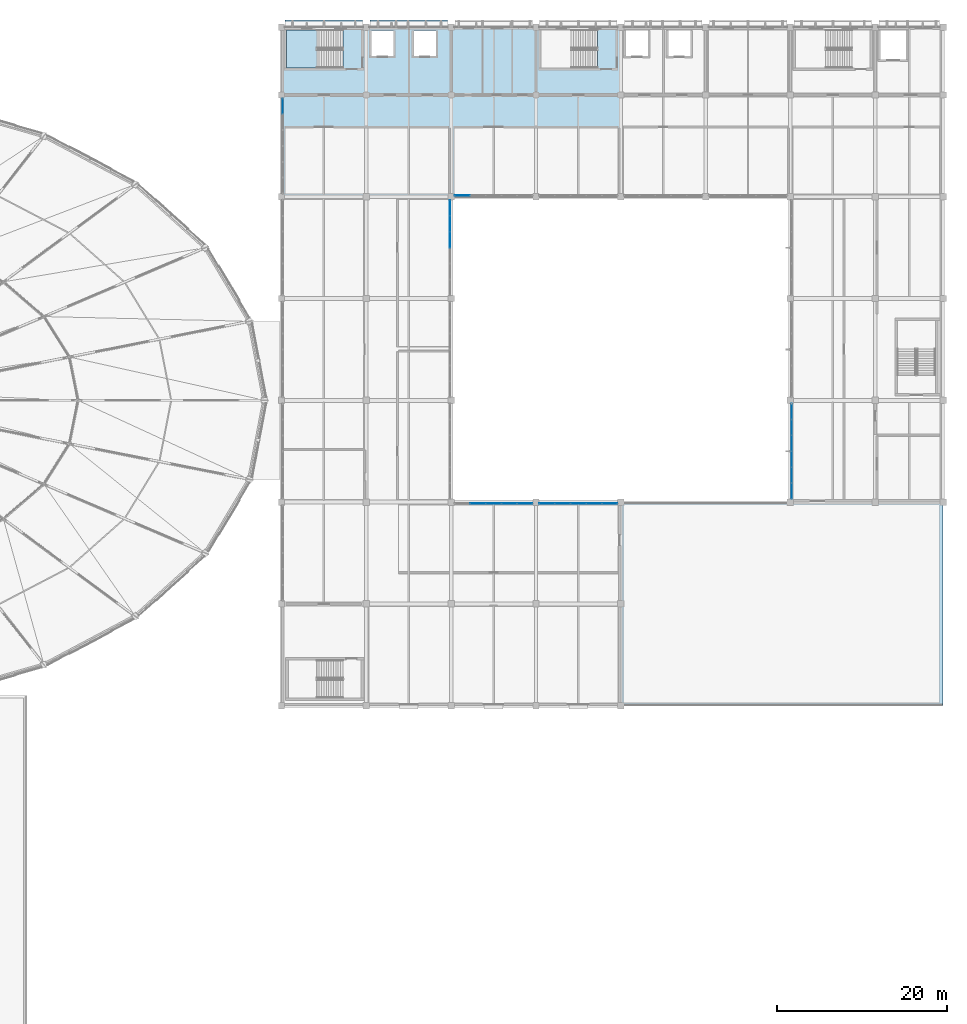
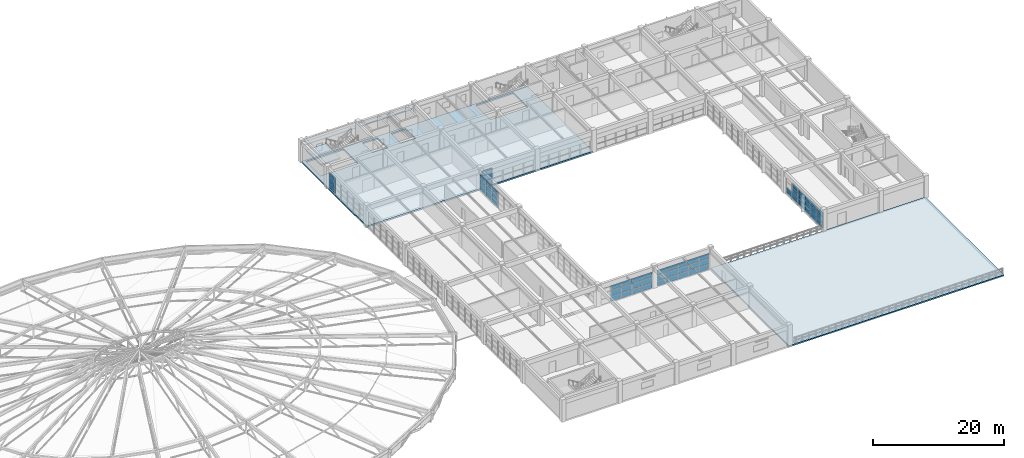
# One storey, part 55 of 83: 60 plates, 3 slabs, 7 elements without a shape of their own.
"""IFC4 building model written with IfcOpenShell, lengths in metres."""

from ifc_helpers import new_model, si_unit, direction, frame, origin, origin_2d, place, context, subcontext, project, spatial, polyline, rectangle, outline, extrude, material, layer, layer_set, type_object, element, aggregate, save


model = new_model("IFC4")

# Units and contexts
model_context = context("Model", 3, precision=1e-05, world=origin(), true_north=direction((0.0, 1.0)))
body_context = subcontext(model_context, "Body", "Model", "MODEL_VIEW")
ifc_project = project(units=[si_unit("LENGTHUNIT", "METRE"), si_unit("AREAUNIT", "SQUARE_METRE"), si_unit("VOLUMEUNIT", "CUBIC_METRE"), si_unit("PLANEANGLEUNIT", "RADIAN"), si_unit("MASSUNIT", "GRAM", prefix="KILO")], contexts=[model_context])

# Site, building, storey
site_placement = place(None, origin())
site = spatial("IfcSite", under=ifc_project, at=site_placement, CompositionType="ELEMENT")
building_placement = place(site_placement, origin())
building = spatial("IfcBuilding", under=site, at=building_placement, Name="Kivolera Central Railway Station", CompositionType="ELEMENT")
storey_placement = place(building_placement, frame((0.0, 0.0, 14.39990234375)))
storey = spatial("IfcBuildingStorey", under=building, at=storey_placement, Name="L03", CompositionType="ELEMENT", Elevation=14.39990234375)

# Curtain wall, plates
ifc_material_1 = material(Name="Anodised aluminium", Category="aluminium")
ifc_layer_1 = layer(ifc_material_1, 0.179931640625, Name="Anodised aluminium")
ifc_layer_set_1 = layer_set([ifc_layer_1], Name="Anodised aluminium")
curtain_wall_type_1 = type_object("IfcCurtainWallType", Name="CW-SYS-30", PredefinedType="NOTDEFINED", material=ifc_layer_set_1)
curtain_wall_1_placement = place(storey_placement, origin())
curtain_wall_1 = element("IfcCurtainWall", 1, at=curtain_wall_1_placement, inside=storey, type_object=curtain_wall_type_1, Name="L03 Curtain Wall CW-L03-CRTW-J", PredefinedType="NOTDEFINED")
ifc_material_2 = material(Name="Double low-E laminated glass", Category="glass")
ifc_layer_2 = layer(ifc_material_2, 0.02587890625, Name="Double low-E laminated glass")
ifc_layer_set_2 = layer_set([ifc_layer_2], Name="Double low-E laminated glass")
plate_type_1 = type_object("IfcPlateType", Name="CWP-GLZ-1", PredefinedType="CURTAIN_PANEL", material=ifc_layer_set_2)
plate_1_placement = place(storey_placement, frame((137.85498046875, 112.6767578125, 0.048095703125), z_axis=(0.0, 0.0, 1.0), x_axis=(0.0, -1.0, 0.0)))
plate_1 = element("IfcPlate", 2, at=plate_1_placement, type_object=plate_type_1, Name="CW-30 panel 1.1", PredefinedType="CURTAIN_PANEL", context=body_context, shape_type="SweptSolid", body=[
    extrude(rectangle(XDim=1.810546875, YDim=0.02587890625, at=origin_2d()), origin(), (0.0, 0.0, 1.0), 1.01123046875),
])
plate_2_placement = place(storey_placement, frame((137.85498046875, 112.6767578125, 1.09521484375), z_axis=(0.0, 0.0, 1.0), x_axis=(0.0, -1.0, 0.0)))
plate_2 = element("IfcPlate", 3, at=plate_2_placement, type_object=plate_type_1, Name="CW-30 panel 1.2", PredefinedType="CURTAIN_PANEL", context=body_context, shape_type="SweptSolid", body=[
    extrude(rectangle(XDim=1.810546875, YDim=0.02587890625, at=origin_2d()), origin(), (0.0, 0.0, 1.0), 1.041259765625),
])
plate_3_placement = place(storey_placement, frame((137.85498046875, 112.6767578125, 2.172607421875), z_axis=(0.0, 0.0, 1.0), x_axis=(0.0, -1.0, 0.0)))
plate_3 = element("IfcPlate", 4, at=plate_3_placement, type_object=plate_type_1, Name="CW-30 panel 1.3", PredefinedType="CURTAIN_PANEL", context=body_context, shape_type="SweptSolid", body=[
    extrude(rectangle(XDim=1.810546875, YDim=0.02587890625, at=origin_2d()), origin(), (0.0, 0.0, 1.0), 0.857421875),
])
plate_4_placement = place(storey_placement, frame((137.85498046875, 110.81494140625, 0.048095703125), z_axis=(0.0, 0.0, 1.0), x_axis=(0.0, -1.0, 0.0)))
plate_4 = element("IfcPlate", 5, at=plate_4_placement, type_object=plate_type_1, Name="CW-30 panel 2.1", PredefinedType="CURTAIN_PANEL", context=body_context, shape_type="SweptSolid", body=[
    extrude(rectangle(XDim=1.840576171875, YDim=0.02587890625, at=origin_2d()), origin(), (0.0, 0.0, 1.0), 1.01123046875),
])
plate_5_placement = place(storey_placement, frame((137.85498046875, 110.81494140625, 1.09521484375), z_axis=(0.0, 0.0, 1.0), x_axis=(0.0, -1.0, 0.0)))
plate_5 = element("IfcPlate", 6, at=plate_5_placement, type_object=plate_type_1, Name="CW-30 panel 2.2", PredefinedType="CURTAIN_PANEL", context=body_context, shape_type="SweptSolid", body=[
    extrude(rectangle(XDim=1.840576171875, YDim=0.02587890625, at=origin_2d()), origin(), (0.0, 0.0, 1.0), 1.041259765625),
])
plate_6_placement = place(storey_placement, frame((137.85498046875, 110.81494140625, 2.172607421875), z_axis=(0.0, 0.0, 1.0), x_axis=(0.0, -1.0, 0.0)))
plate_6 = element("IfcPlate", 7, at=plate_6_placement, type_object=plate_type_1, Name="CW-30 panel 2.3", PredefinedType="CURTAIN_PANEL", context=body_context, shape_type="SweptSolid", body=[
    extrude(rectangle(XDim=1.840576171875, YDim=0.02587890625, at=origin_2d()), origin(), (0.0, 0.0, 1.0), 0.857421875),
])
plate_7_placement = place(storey_placement, frame((137.85498046875, 108.938232421875, 0.048095703125), z_axis=(0.0, 0.0, 1.0), x_axis=(0.0, -1.0, 0.0)))
plate_7 = element("IfcPlate", 8, at=plate_7_placement, type_object=plate_type_1, Name="CW-30 panel 3.1", PredefinedType="CURTAIN_PANEL", context=body_context, shape_type="SweptSolid", body=[
    extrude(rectangle(XDim=1.840576171875, YDim=0.02587890625, at=origin_2d()), origin(), (0.0, 0.0, 1.0), 1.01123046875),
])
plate_8_placement = place(storey_placement, frame((137.85498046875, 108.938232421875, 1.09521484375), z_axis=(0.0, 0.0, 1.0), x_axis=(0.0, -1.0, 0.0)))
plate_8 = element("IfcPlate", 9, at=plate_8_placement, type_object=plate_type_1, Name="CW-30 panel 3.2", PredefinedType="CURTAIN_PANEL", context=body_context, shape_type="SweptSolid", body=[
    extrude(rectangle(XDim=1.840576171875, YDim=0.02587890625, at=origin_2d()), origin(), (0.0, 0.0, 1.0), 1.041259765625),
])
plate_9_placement = place(storey_placement, frame((137.85498046875, 108.938232421875, 2.172607421875), z_axis=(0.0, 0.0, 1.0), x_axis=(0.0, -1.0, 0.0)))
plate_9 = element("IfcPlate", 10, at=plate_9_placement, type_object=plate_type_1, Name="CW-30 panel 3.3", PredefinedType="CURTAIN_PANEL", context=body_context, shape_type="SweptSolid", body=[
    extrude(rectangle(XDim=1.840576171875, YDim=0.02587890625, at=origin_2d()), origin(), (0.0, 0.0, 1.0), 0.857421875),
])
aggregate(curtain_wall_1, [plate_1, plate_2, plate_3, plate_4, plate_5, plate_6, plate_7, plate_8, plate_9])

ifc_layer_3 = layer(ifc_material_1, 0.179931640625, Name="Anodised aluminium")
ifc_layer_set_3 = layer_set([ifc_layer_3], Name="Anodised aluminium")
curtain_wall_type_2 = type_object("IfcCurtainWallType", Name="CW-SYS-29", PredefinedType="NOTDEFINED", material=ifc_layer_set_3)
curtain_wall_2_placement = place(storey_placement, origin())
curtain_wall_2 = element("IfcCurtainWall", 11, at=curtain_wall_2_placement, inside=storey, type_object=curtain_wall_type_2, Name="L03 Curtain Wall CW-L03-CRTN-138", PredefinedType="NOTDEFINED")
ifc_layer_4 = layer(ifc_material_2, 0.030029296875, Name="Double low-E laminated glass")
ifc_layer_set_4 = layer_set([ifc_layer_4], Name="Double low-E laminated glass")
plate_type_2 = type_object("IfcPlateType", Name="CWP-GLZ-2", PredefinedType="CURTAIN_PANEL", material=ifc_layer_set_4)
plate_10_placement = place(storey_placement, frame((139.31103515625, 114.14501953125, 0.048095703125), z_axis=(0.0, 0.0, 1.0), x_axis=(-1.0, 0.0, 0.0)))
plate_10 = element("IfcPlate", 12, at=plate_10_placement, type_object=plate_type_2, Name="CW-29 panel 5.1", PredefinedType="CURTAIN_PANEL", context=body_context, shape_type="SweptSolid", body=[
    extrude(rectangle(XDim=1.785888671875, YDim=0.030029296875, at=origin_2d()), origin(), (0.0, 0.0, 1.0), 1.01123046875),
])
plate_11_placement = place(storey_placement, frame((139.31103515625, 114.14501953125, 1.09521484375), z_axis=(0.0, 0.0, 1.0), x_axis=(-1.0, 0.0, 0.0)))
plate_11 = element("IfcPlate", 13, at=plate_11_placement, type_object=plate_type_2, Name="CW-29 panel 5.2", PredefinedType="CURTAIN_PANEL", context=body_context, shape_type="SweptSolid", body=[
    extrude(rectangle(XDim=1.785888671875, YDim=0.030029296875, at=origin_2d()), origin(), (0.0, 0.0, 1.0), 1.041259765625),
])
plate_12_placement = place(storey_placement, frame((139.31103515625, 114.14501953125, 2.172607421875), z_axis=(0.0, 0.0, 1.0), x_axis=(-1.0, 0.0, 0.0)))
plate_12 = element("IfcPlate", 14, at=plate_12_placement, type_object=plate_type_2, Name="CW-29 panel 5.3", PredefinedType="CURTAIN_PANEL", context=body_context, shape_type="SweptSolid", body=[
    extrude(rectangle(XDim=1.785888671875, YDim=0.030029296875, at=origin_2d()), origin(), (0.0, 0.0, 1.0), 0.857421875),
])
aggregate(curtain_wall_2, [plate_10, plate_11, plate_12])

curtain_wall_3_placement = place(storey_placement, origin())
curtain_wall_3 = element("IfcCurtainWall", 15, at=curtain_wall_3_placement, inside=storey, type_object=curtain_wall_type_1, Name="L03 Curtain Wall CW-L03-CRTE-G", PredefinedType="NOTDEFINED")
plate_13_placement = place(storey_placement, frame((178.14501953125, 79.3232421875, 0.048095703125), z_axis=(0.0, 0.0, 1.0), x_axis=(0.0, 1.0, 0.0)))
plate_13 = element("IfcPlate", 16, at=plate_13_placement, type_object=plate_type_2, Name="CW-30 panel 1.1", PredefinedType="CURTAIN_PANEL", context=body_context, shape_type="SweptSolid", body=[
    extrude(rectangle(XDim=1.810546875, YDim=0.030029296875, at=origin_2d()), origin(), (0.0, 0.0, 1.0), 1.01123046875),
])
plate_14_placement = place(storey_placement, frame((178.14501953125, 79.3232421875, 1.09521484375), z_axis=(0.0, 0.0, 1.0), x_axis=(0.0, 1.0, 0.0)))
plate_14 = element("IfcPlate", 17, at=plate_14_placement, type_object=plate_type_2, Name="CW-30 panel 1.2", PredefinedType="CURTAIN_PANEL", context=body_context, shape_type="SweptSolid", body=[
    extrude(rectangle(XDim=1.810546875, YDim=0.030029296875, at=origin_2d()), origin(), (0.0, 0.0, 1.0), 1.041259765625),
])
plate_15_placement = place(storey_placement, frame((178.14501953125, 79.3232421875, 2.172607421875), z_axis=(0.0, 0.0, 1.0), x_axis=(0.0, 1.0, 0.0)))
plate_15 = element("IfcPlate", 18, at=plate_15_placement, type_object=plate_type_2, Name="CW-30 panel 1.3", PredefinedType="CURTAIN_PANEL", context=body_context, shape_type="SweptSolid", body=[
    extrude(rectangle(XDim=1.810546875, YDim=0.030029296875, at=origin_2d()), origin(), (0.0, 0.0, 1.0), 0.857421875),
])
plate_16_placement = place(storey_placement, frame((178.14501953125, 81.18505859375, 0.048095703125), z_axis=(0.0, 0.0, 1.0), x_axis=(0.0, 1.0, 0.0)))
plate_16 = element("IfcPlate", 19, at=plate_16_placement, type_object=plate_type_2, Name="CW-30 panel 2.1", PredefinedType="CURTAIN_PANEL", context=body_context, shape_type="SweptSolid", body=[
    extrude(rectangle(XDim=1.840576171875, YDim=0.030029296875, at=origin_2d()), origin(), (0.0, 0.0, 1.0), 1.01123046875),
])
plate_17_placement = place(storey_placement, frame((178.14501953125, 81.18505859375, 1.09521484375), z_axis=(0.0, 0.0, 1.0), x_axis=(0.0, 1.0, 0.0)))
plate_17 = element("IfcPlate", 20, at=plate_17_placement, type_object=plate_type_2, Name="CW-30 panel 2.2", PredefinedType="CURTAIN_PANEL", context=body_context, shape_type="SweptSolid", body=[
    extrude(rectangle(XDim=1.840576171875, YDim=0.030029296875, at=origin_2d()), origin(), (0.0, 0.0, 1.0), 1.041259765625),
])
plate_18_placement = place(storey_placement, frame((178.14501953125, 81.18505859375, 2.172607421875), z_axis=(0.0, 0.0, 1.0), x_axis=(0.0, 1.0, 0.0)))
plate_18 = element("IfcPlate", 21, at=plate_18_placement, type_object=plate_type_2, Name="CW-30 panel 2.3", PredefinedType="CURTAIN_PANEL", context=body_context, shape_type="SweptSolid", body=[
    extrude(rectangle(XDim=1.840576171875, YDim=0.030029296875, at=origin_2d()), origin(), (0.0, 0.0, 1.0), 0.857421875),
])
plate_19_placement = place(storey_placement, frame((178.14501953125, 83.061767578125, 0.048095703125), z_axis=(0.0, 0.0, 1.0), x_axis=(0.0, 1.0, 0.0)))
plate_19 = element("IfcPlate", 22, at=plate_19_placement, type_object=plate_type_2, Name="CW-30 panel 3.1", PredefinedType="CURTAIN_PANEL", context=body_context, shape_type="SweptSolid", body=[
    extrude(rectangle(XDim=1.840576171875, YDim=0.030029296875, at=origin_2d()), origin(), (0.0, 0.0, 1.0), 1.01123046875),
])
plate_20_placement = place(storey_placement, frame((178.14501953125, 83.061767578125, 1.09521484375), z_axis=(0.0, 0.0, 1.0), x_axis=(0.0, 1.0, 0.0)))
plate_20 = element("IfcPlate", 23, at=plate_20_placement, type_object=plate_type_2, Name="CW-30 panel 3.2", PredefinedType="CURTAIN_PANEL", context=body_context, shape_type="SweptSolid", body=[
    extrude(rectangle(XDim=1.840576171875, YDim=0.030029296875, at=origin_2d()), origin(), (0.0, 0.0, 1.0), 1.041259765625),
])
plate_21_placement = place(storey_placement, frame((178.14501953125, 83.061767578125, 2.172607421875), z_axis=(0.0, 0.0, 1.0), x_axis=(0.0, 1.0, 0.0)))
plate_21 = element("IfcPlate", 24, at=plate_21_placement, type_object=plate_type_2, Name="CW-30 panel 3.3", PredefinedType="CURTAIN_PANEL", context=body_context, shape_type="SweptSolid", body=[
    extrude(rectangle(XDim=1.840576171875, YDim=0.030029296875, at=origin_2d()), origin(), (0.0, 0.0, 1.0), 0.857421875),
])
plate_22_placement = place(storey_placement, frame((178.14501953125, 84.938232421875, 0.048095703125), z_axis=(0.0, 0.0, 1.0), x_axis=(0.0, 1.0, 0.0)))
plate_22 = element("IfcPlate", 25, at=plate_22_placement, type_object=plate_type_2, Name="CW-30 panel 4.1", PredefinedType="CURTAIN_PANEL", context=body_context, shape_type="SweptSolid", body=[
    extrude(rectangle(XDim=1.840576171875, YDim=0.030029296875, at=origin_2d()), origin(), (0.0, 0.0, 1.0), 1.01123046875),
])
plate_23_placement = place(storey_placement, frame((178.14501953125, 84.938232421875, 1.09521484375), z_axis=(0.0, 0.0, 1.0), x_axis=(0.0, 1.0, 0.0)))
plate_23 = element("IfcPlate", 26, at=plate_23_placement, type_object=plate_type_2, Name="CW-30 panel 4.2", PredefinedType="CURTAIN_PANEL", context=body_context, shape_type="SweptSolid", body=[
    extrude(rectangle(XDim=1.840576171875, YDim=0.030029296875, at=origin_2d()), origin(), (0.0, 0.0, 1.0), 1.041259765625),
])
plate_24_placement = place(storey_placement, frame((178.14501953125, 84.938232421875, 2.172607421875), z_axis=(0.0, 0.0, 1.0), x_axis=(0.0, 1.0, 0.0)))
plate_24 = element("IfcPlate", 27, at=plate_24_placement, type_object=plate_type_2, Name="CW-30 panel 4.3", PredefinedType="CURTAIN_PANEL", context=body_context, shape_type="SweptSolid", body=[
    extrude(rectangle(XDim=1.840576171875, YDim=0.030029296875, at=origin_2d()), origin(), (0.0, 0.0, 1.0), 0.857421875),
])
plate_25_placement = place(storey_placement, frame((178.14501953125, 86.81494140625, 0.048095703125), z_axis=(0.0, 0.0, 1.0), x_axis=(0.0, 1.0, 0.0)))
plate_25 = element("IfcPlate", 28, at=plate_25_placement, type_object=plate_type_2, Name="CW-30 panel 5.1", PredefinedType="CURTAIN_PANEL", context=body_context, shape_type="SweptSolid", body=[
    extrude(rectangle(XDim=1.840576171875, YDim=0.030029296875, at=origin_2d()), origin(), (0.0, 0.0, 1.0), 1.01123046875),
])
plate_26_placement = place(storey_placement, frame((178.14501953125, 86.81494140625, 1.09521484375), z_axis=(0.0, 0.0, 1.0), x_axis=(0.0, 1.0, 0.0)))
plate_26 = element("IfcPlate", 29, at=plate_26_placement, type_object=plate_type_2, Name="CW-30 panel 5.2", PredefinedType="CURTAIN_PANEL", context=body_context, shape_type="SweptSolid", body=[
    extrude(rectangle(XDim=1.840576171875, YDim=0.030029296875, at=origin_2d()), origin(), (0.0, 0.0, 1.0), 1.041259765625),
])
plate_27_placement = place(storey_placement, frame((178.14501953125, 86.81494140625, 2.172607421875), z_axis=(0.0, 0.0, 1.0), x_axis=(0.0, 1.0, 0.0)))
plate_27 = element("IfcPlate", 30, at=plate_27_placement, type_object=plate_type_2, Name="CW-30 panel 5.3", PredefinedType="CURTAIN_PANEL", context=body_context, shape_type="SweptSolid", body=[
    extrude(rectangle(XDim=1.840576171875, YDim=0.030029296875, at=origin_2d()), origin(), (0.0, 0.0, 1.0), 0.857421875),
])
plate_28_placement = place(storey_placement, frame((178.14501953125, 88.6767578125, 0.048095703125), z_axis=(0.0, 0.0, 1.0), x_axis=(0.0, 1.0, 0.0)))
plate_28 = element("IfcPlate", 31, at=plate_28_placement, type_object=plate_type_2, Name="CW-30 panel 6.1", PredefinedType="CURTAIN_PANEL", context=body_context, shape_type="SweptSolid", body=[
    extrude(rectangle(XDim=1.810546875, YDim=0.030029296875, at=origin_2d()), origin(), (0.0, 0.0, 1.0), 1.01123046875),
])
aggregate(curtain_wall_3, [plate_13, plate_14, plate_15, plate_16, plate_17, plate_18, plate_19, plate_20, plate_21, plate_22, plate_23, plate_24, plate_25, plate_26, plate_27, plate_28])

curtain_wall_4_placement = place(storey_placement, origin())
curtain_wall_4 = element("IfcCurtainWall", 32, at=curtain_wall_4_placement, inside=storey, type_object=curtain_wall_type_1, Name="L03 Curtain Wall CW-L03-WEST-K", PredefinedType="NOTDEFINED")
plate_29_placement = place(storey_placement, frame((118.14501953125, 124.674072265625, 0.05810546875), z_axis=(0.0, 0.0, 1.0), x_axis=(0.0, 1.0, 0.0)))
plate_29 = element("IfcPlate", 33, at=plate_29_placement, type_object=plate_type_2, Name="CW-30 panel 6.1", PredefinedType="CURTAIN_PANEL", context=body_context, shape_type="SweptSolid", body=[
    extrude(rectangle(XDim=1.795654296875, YDim=0.030029296875, at=origin_2d()), origin(), (0.0, 0.0, 1.0), 0.996337890625),
])
plate_30_placement = place(storey_placement, frame((118.14501953125, 124.674072265625, 1.100341796875), z_axis=(0.0, 0.0, 1.0), x_axis=(0.0, 1.0, 0.0)))
plate_30 = element("IfcPlate", 34, at=plate_30_placement, type_object=plate_type_2, Name="CW-30 panel 6.2", PredefinedType="CURTAIN_PANEL", context=body_context, shape_type="SweptSolid", body=[
    extrude(rectangle(XDim=1.795654296875, YDim=0.030029296875, at=origin_2d()), origin(), (0.0, 0.0, 1.0), 1.03125),
])
plate_31_placement = place(storey_placement, frame((118.14501953125, 124.674072265625, 2.177734375), z_axis=(0.0, 0.0, 1.0), x_axis=(0.0, 1.0, 0.0)))
plate_31 = element("IfcPlate", 35, at=plate_31_placement, type_object=plate_type_2, Name="CW-30 panel 6.3", PredefinedType="CURTAIN_PANEL", context=body_context, shape_type="SweptSolid", body=[
    extrude(rectangle(XDim=1.795654296875, YDim=0.030029296875, at=origin_2d()), origin(), (0.0, 0.0, 1.0), 0.84228515625),
])
aggregate(curtain_wall_4, [plate_29, plate_30, plate_31])

curtain_wall_5_placement = place(storey_placement, origin())
curtain_wall_5 = element("IfcCurtainWall", 36, at=curtain_wall_5_placement, inside=storey, type_object=curtain_wall_type_2, Name="L03 Curtain Wall CW-L03-CRTS-138", PredefinedType="NOTDEFINED")
ifc_layer_5 = layer(ifc_material_2, 0.033935546875, Name="Double low-E laminated glass")
ifc_layer_set_5 = layer_set([ifc_layer_5], Name="Double low-E laminated glass")
plate_type_3 = type_object("IfcPlateType", Name="CWP-GLZ-3", PredefinedType="CURTAIN_PANEL", material=ifc_layer_set_5)
plate_32_placement = place(storey_placement, frame((141.14794921875, 77.85498046875, 0.048095703125), z_axis=(0.0, 0.0, 1.0), x_axis=(1.0, 0.0, 0.0)))
plate_32 = element("IfcPlate", 37, at=plate_32_placement, type_object=plate_type_3, Name="CW-29 panel 2.1", PredefinedType="CURTAIN_PANEL", context=body_context, shape_type="SweptSolid", body=[
    extrude(rectangle(XDim=1.81591796875, YDim=0.033935546875, at=origin_2d()), origin(), (0.0, 0.0, 1.0), 1.01123046875),
])
plate_33_placement = place(storey_placement, frame((141.14794921875, 77.85498046875, 1.09521484375), z_axis=(0.0, 0.0, 1.0), x_axis=(1.0, 0.0, 0.0)))
plate_33 = element("IfcPlate", 38, at=plate_33_placement, type_object=plate_type_3, Name="CW-29 panel 2.2", PredefinedType="CURTAIN_PANEL", context=body_context, shape_type="SweptSolid", body=[
    extrude(rectangle(XDim=1.81591796875, YDim=0.033935546875, at=origin_2d()), origin(), (0.0, 0.0, 1.0), 1.041259765625),
])
plate_34_placement = place(storey_placement, frame((141.14794921875, 77.85498046875, 2.172607421875), z_axis=(0.0, 0.0, 1.0), x_axis=(1.0, 0.0, 0.0)))
plate_34 = element("IfcPlate", 39, at=plate_34_placement, type_object=plate_type_3, Name="CW-29 panel 2.3", PredefinedType="CURTAIN_PANEL", context=body_context, shape_type="SweptSolid", body=[
    extrude(rectangle(XDim=1.81591796875, YDim=0.033935546875, at=origin_2d()), origin(), (0.0, 0.0, 1.0), 0.857421875),
])
plate_35_placement = place(storey_placement, frame((143.0, 77.85498046875, 0.048095703125), z_axis=(0.0, 0.0, 1.0), x_axis=(1.0, 0.0, 0.0)))
plate_35 = element("IfcPlate", 40, at=plate_35_placement, type_object=plate_type_3, Name="CW-29 panel 3.1", PredefinedType="CURTAIN_PANEL", context=body_context, shape_type="SweptSolid", body=[
    extrude(rectangle(XDim=1.81591796875, YDim=0.033935546875, at=origin_2d()), origin(), (0.0, 0.0, 1.0), 1.01123046875),
])
plate_36_placement = place(storey_placement, frame((143.0, 77.85498046875, 1.09521484375), z_axis=(0.0, 0.0, 1.0), x_axis=(1.0, 0.0, 0.0)))
plate_36 = element("IfcPlate", 41, at=plate_36_placement, type_object=plate_type_3, Name="CW-29 panel 3.2", PredefinedType="CURTAIN_PANEL", context=body_context, shape_type="SweptSolid", body=[
    extrude(rectangle(XDim=1.81591796875, YDim=0.033935546875, at=origin_2d()), origin(), (0.0, 0.0, 1.0), 1.041259765625),
])
plate_37_placement = place(storey_placement, frame((143.0, 77.85498046875, 2.172607421875), z_axis=(0.0, 0.0, 1.0), x_axis=(1.0, 0.0, 0.0)))
plate_37 = element("IfcPlate", 42, at=plate_37_placement, type_object=plate_type_3, Name="CW-29 panel 3.3", PredefinedType="CURTAIN_PANEL", context=body_context, shape_type="SweptSolid", body=[
    extrude(rectangle(XDim=1.81591796875, YDim=0.033935546875, at=origin_2d()), origin(), (0.0, 0.0, 1.0), 0.857421875),
])
plate_38_placement = place(storey_placement, frame((144.85205078125, 77.85498046875, 0.048095703125), z_axis=(0.0, 0.0, 1.0), x_axis=(1.0, 0.0, 0.0)))
plate_38 = element("IfcPlate", 43, at=plate_38_placement, type_object=plate_type_3, Name="CW-29 panel 4.1", PredefinedType="CURTAIN_PANEL", context=body_context, shape_type="SweptSolid", body=[
    extrude(rectangle(XDim=1.81591796875, YDim=0.033935546875, at=origin_2d()), origin(), (0.0, 0.0, 1.0), 1.01123046875),
])
plate_39_placement = place(storey_placement, frame((144.85205078125, 77.85498046875, 1.09521484375), z_axis=(0.0, 0.0, 1.0), x_axis=(1.0, 0.0, 0.0)))
plate_39 = element("IfcPlate", 44, at=plate_39_placement, type_object=plate_type_3, Name="CW-29 panel 4.2", PredefinedType="CURTAIN_PANEL", context=body_context, shape_type="SweptSolid", body=[
    extrude(rectangle(XDim=1.81591796875, YDim=0.033935546875, at=origin_2d()), origin(), (0.0, 0.0, 1.0), 1.041259765625),
])
plate_40_placement = place(storey_placement, frame((144.85205078125, 77.85498046875, 2.172607421875), z_axis=(0.0, 0.0, 1.0), x_axis=(1.0, 0.0, 0.0)))
plate_40 = element("IfcPlate", 45, at=plate_40_placement, type_object=plate_type_3, Name="CW-29 panel 4.3", PredefinedType="CURTAIN_PANEL", context=body_context, shape_type="SweptSolid", body=[
    extrude(rectangle(XDim=1.81591796875, YDim=0.033935546875, at=origin_2d()), origin(), (0.0, 0.0, 1.0), 0.857421875),
])
plate_41_placement = place(storey_placement, frame((146.68896484375, 77.85498046875, 0.048095703125), z_axis=(0.0, 0.0, 1.0), x_axis=(1.0, 0.0, 0.0)))
plate_41 = element("IfcPlate", 46, at=plate_41_placement, type_object=plate_type_3, Name="CW-29 panel 5.1", PredefinedType="CURTAIN_PANEL", context=body_context, shape_type="SweptSolid", body=[
    extrude(rectangle(XDim=1.785888671875, YDim=0.033935546875, at=origin_2d()), origin(), (0.0, 0.0, 1.0), 1.01123046875),
])
plate_42_placement = place(storey_placement, frame((146.68896484375, 77.85498046875, 1.09521484375), z_axis=(0.0, 0.0, 1.0), x_axis=(1.0, 0.0, 0.0)))
plate_42 = element("IfcPlate", 47, at=plate_42_placement, type_object=plate_type_3, Name="CW-29 panel 5.2", PredefinedType="CURTAIN_PANEL", context=body_context, shape_type="SweptSolid", body=[
    extrude(rectangle(XDim=1.785888671875, YDim=0.033935546875, at=origin_2d()), origin(), (0.0, 0.0, 1.0), 1.041259765625),
])
plate_43_placement = place(storey_placement, frame((146.68896484375, 77.85498046875, 2.172607421875), z_axis=(0.0, 0.0, 1.0), x_axis=(1.0, 0.0, 0.0)))
plate_43 = element("IfcPlate", 48, at=plate_43_placement, type_object=plate_type_3, Name="CW-29 panel 5.3", PredefinedType="CURTAIN_PANEL", context=body_context, shape_type="SweptSolid", body=[
    extrude(rectangle(XDim=1.785888671875, YDim=0.033935546875, at=origin_2d()), origin(), (0.0, 0.0, 1.0), 0.857421875),
])
aggregate(curtain_wall_5, [plate_32, plate_33, plate_34, plate_35, plate_36, plate_37, plate_38, plate_39, plate_40, plate_41, plate_42, plate_43])

curtain_wall_6_placement = place(storey_placement, origin())
curtain_wall_6 = element("IfcCurtainWall", 49, at=curtain_wall_6_placement, inside=storey, type_object=curtain_wall_type_2, Name="L03 Curtain Wall CW-L03-CRTS-148", PredefinedType="NOTDEFINED")
plate_44_placement = place(storey_placement, frame((149.31103515625, 77.85498046875, 0.048095703125), z_axis=(0.0, 0.0, 1.0), x_axis=(1.0, 0.0, 0.0)))
plate_44 = element("IfcPlate", 50, at=plate_44_placement, type_object=plate_type_3, Name="CW-29 panel 1.1", PredefinedType="CURTAIN_PANEL", context=body_context, shape_type="SweptSolid", body=[
    extrude(rectangle(XDim=1.785888671875, YDim=0.033935546875, at=origin_2d()), origin(), (0.0, 0.0, 1.0), 1.01123046875),
])
plate_45_placement = place(storey_placement, frame((149.31103515625, 77.85498046875, 1.09521484375), z_axis=(0.0, 0.0, 1.0), x_axis=(1.0, 0.0, 0.0)))
plate_45 = element("IfcPlate", 51, at=plate_45_placement, type_object=plate_type_3, Name="CW-29 panel 1.2", PredefinedType="CURTAIN_PANEL", context=body_context, shape_type="SweptSolid", body=[
    extrude(rectangle(XDim=1.785888671875, YDim=0.033935546875, at=origin_2d()), origin(), (0.0, 0.0, 1.0), 1.041259765625),
])
plate_46_placement = place(storey_placement, frame((149.31103515625, 77.85498046875, 2.172607421875), z_axis=(0.0, 0.0, 1.0), x_axis=(1.0, 0.0, 0.0)))
plate_46 = element("IfcPlate", 52, at=plate_46_placement, type_object=plate_type_3, Name="CW-29 panel 1.3", PredefinedType="CURTAIN_PANEL", context=body_context, shape_type="SweptSolid", body=[
    extrude(rectangle(XDim=1.785888671875, YDim=0.033935546875, at=origin_2d()), origin(), (0.0, 0.0, 1.0), 0.857421875),
])
plate_47_placement = place(storey_placement, frame((151.14794921875, 77.85498046875, 0.048095703125), z_axis=(0.0, 0.0, 1.0), x_axis=(1.0, 0.0, 0.0)))
plate_47 = element("IfcPlate", 53, at=plate_47_placement, type_object=plate_type_3, Name="CW-29 panel 2.1", PredefinedType="CURTAIN_PANEL", context=body_context, shape_type="SweptSolid", body=[
    extrude(rectangle(XDim=1.81591796875, YDim=0.033935546875, at=origin_2d()), origin(), (0.0, 0.0, 1.0), 1.01123046875),
])
plate_48_placement = place(storey_placement, frame((151.14794921875, 77.85498046875, 1.09521484375), z_axis=(0.0, 0.0, 1.0), x_axis=(1.0, 0.0, 0.0)))
plate_48 = element("IfcPlate", 54, at=plate_48_placement, type_object=plate_type_3, Name="CW-29 panel 2.2", PredefinedType="CURTAIN_PANEL", context=body_context, shape_type="SweptSolid", body=[
    extrude(rectangle(XDim=1.81591796875, YDim=0.033935546875, at=origin_2d()), origin(), (0.0, 0.0, 1.0), 1.041259765625),
])
plate_49_placement = place(storey_placement, frame((151.14794921875, 77.85498046875, 2.172607421875), z_axis=(0.0, 0.0, 1.0), x_axis=(1.0, 0.0, 0.0)))
plate_49 = element("IfcPlate", 55, at=plate_49_placement, type_object=plate_type_3, Name="CW-29 panel 2.3", PredefinedType="CURTAIN_PANEL", context=body_context, shape_type="SweptSolid", body=[
    extrude(rectangle(XDim=1.81591796875, YDim=0.033935546875, at=origin_2d()), origin(), (0.0, 0.0, 1.0), 0.857421875),
])
plate_50_placement = place(storey_placement, frame((153.0, 77.85498046875, 0.048095703125), z_axis=(0.0, 0.0, 1.0), x_axis=(1.0, 0.0, 0.0)))
plate_50 = element("IfcPlate", 56, at=plate_50_placement, type_object=plate_type_3, Name="CW-29 panel 3.1", PredefinedType="CURTAIN_PANEL", context=body_context, shape_type="SweptSolid", body=[
    extrude(rectangle(XDim=1.81591796875, YDim=0.033935546875, at=origin_2d()), origin(), (0.0, 0.0, 1.0), 1.01123046875),
])
plate_51_placement = place(storey_placement, frame((153.0, 77.85498046875, 1.09521484375), z_axis=(0.0, 0.0, 1.0), x_axis=(1.0, 0.0, 0.0)))
plate_51 = element("IfcPlate", 57, at=plate_51_placement, type_object=plate_type_3, Name="CW-29 panel 3.2", PredefinedType="CURTAIN_PANEL", context=body_context, shape_type="SweptSolid", body=[
    extrude(rectangle(XDim=1.81591796875, YDim=0.033935546875, at=origin_2d()), origin(), (0.0, 0.0, 1.0), 1.041259765625),
])
plate_52_placement = place(storey_placement, frame((153.0, 77.85498046875, 2.172607421875), z_axis=(0.0, 0.0, 1.0), x_axis=(1.0, 0.0, 0.0)))
plate_52 = element("IfcPlate", 58, at=plate_52_placement, type_object=plate_type_3, Name="CW-29 panel 3.3", PredefinedType="CURTAIN_PANEL", context=body_context, shape_type="SweptSolid", body=[
    extrude(rectangle(XDim=1.81591796875, YDim=0.033935546875, at=origin_2d()), origin(), (0.0, 0.0, 1.0), 0.857421875),
])
plate_53_placement = place(storey_placement, frame((154.85205078125, 77.85498046875, 0.048095703125), z_axis=(0.0, 0.0, 1.0), x_axis=(1.0, 0.0, 0.0)))
plate_53 = element("IfcPlate", 59, at=plate_53_placement, type_object=plate_type_3, Name="CW-29 panel 4.1", PredefinedType="CURTAIN_PANEL", context=body_context, shape_type="SweptSolid", body=[
    extrude(rectangle(XDim=1.81591796875, YDim=0.033935546875, at=origin_2d()), origin(), (0.0, 0.0, 1.0), 1.01123046875),
])
plate_54_placement = place(storey_placement, frame((154.85205078125, 77.85498046875, 1.09521484375), z_axis=(0.0, 0.0, 1.0), x_axis=(1.0, 0.0, 0.0)))
plate_54 = element("IfcPlate", 60, at=plate_54_placement, type_object=plate_type_3, Name="CW-29 panel 4.2", PredefinedType="CURTAIN_PANEL", context=body_context, shape_type="SweptSolid", body=[
    extrude(rectangle(XDim=1.81591796875, YDim=0.033935546875, at=origin_2d()), origin(), (0.0, 0.0, 1.0), 1.041259765625),
])
plate_55_placement = place(storey_placement, frame((154.85205078125, 77.85498046875, 2.172607421875), z_axis=(0.0, 0.0, 1.0), x_axis=(1.0, 0.0, 0.0)))
plate_55 = element("IfcPlate", 61, at=plate_55_placement, type_object=plate_type_3, Name="CW-29 panel 4.3", PredefinedType="CURTAIN_PANEL", context=body_context, shape_type="SweptSolid", body=[
    extrude(rectangle(XDim=1.81591796875, YDim=0.033935546875, at=origin_2d()), origin(), (0.0, 0.0, 1.0), 0.857421875),
])
plate_56_placement = place(storey_placement, frame((156.68896484375, 77.85498046875, 0.048095703125), z_axis=(0.0, 0.0, 1.0), x_axis=(1.0, 0.0, 0.0)))
plate_56 = element("IfcPlate", 62, at=plate_56_placement, type_object=plate_type_3, Name="CW-29 panel 5.1", PredefinedType="CURTAIN_PANEL", context=body_context, shape_type="SweptSolid", body=[
    extrude(rectangle(XDim=1.785888671875, YDim=0.033935546875, at=origin_2d()), origin(), (0.0, 0.0, 1.0), 1.01123046875),
])
plate_57_placement = place(storey_placement, frame((156.68896484375, 77.85498046875, 1.09521484375), z_axis=(0.0, 0.0, 1.0), x_axis=(1.0, 0.0, 0.0)))
plate_57 = element("IfcPlate", 63, at=plate_57_placement, type_object=plate_type_3, Name="CW-29 panel 5.2", PredefinedType="CURTAIN_PANEL", context=body_context, shape_type="SweptSolid", body=[
    extrude(rectangle(XDim=1.785888671875, YDim=0.033935546875, at=origin_2d()), origin(), (0.0, 0.0, 1.0), 1.041259765625),
])
plate_58_placement = place(storey_placement, frame((156.68896484375, 77.85498046875, 2.172607421875), z_axis=(0.0, 0.0, 1.0), x_axis=(1.0, 0.0, 0.0)))
plate_58 = element("IfcPlate", 64, at=plate_58_placement, type_object=plate_type_3, Name="CW-29 panel 5.3", PredefinedType="CURTAIN_PANEL", context=body_context, shape_type="SweptSolid", body=[
    extrude(rectangle(XDim=1.785888671875, YDim=0.033935546875, at=origin_2d()), origin(), (0.0, 0.0, 1.0), 0.857421875),
])
aggregate(curtain_wall_6, [plate_44, plate_45, plate_46, plate_47, plate_48, plate_49, plate_50, plate_51, plate_52, plate_53, plate_54, plate_55, plate_56, plate_57, plate_58])

# Plates
ifc_layer_6 = layer(ifc_material_1, 0.094970703125, Name="Anodised aluminium")
ifc_layer_set_6 = layer_set([ifc_layer_6], Name="Anodised aluminium")
plate_type_4 = type_object("IfcPlateType", Name="PLT-EGGHOOD-95", PredefinedType="SHEET", material=ifc_layer_set_6)
for number, where, z_axis, x_axis, name in (
    (65, (123.0, 134.4130859375, 2.7724609375), (0.0, 0.0, 1.0), (1.0, 0.0, 0.0), "L03 North Afro-Modernist Monsoon Sun-Hood 1"),
    (66, (133.0, 134.4130859375, 2.7724609375), (0.0, 0.0, 1.0), (1.0, 0.0, 0.0), "L03 North Afro-Modernist Monsoon Sun-Hood 2"),
):
    element("IfcPlate", number, at=place(storey_placement, frame(where, z_axis=z_axis, x_axis=x_axis)), inside=storey, type_object=plate_type_4, Name=name, PredefinedType="SHEET", context=body_context, shape_type="SweptSolid", body=[
        extrude(rectangle(XDim=9.139892578125, YDim=0.85009765625, at=origin_2d()), origin(), (0.0, 0.0, 1.0), 0.094970703125),
    ])

# Slab
ifc_material_3 = material(Name="Concrete C40/50", Category="concrete")
ifc_layer_7 = layer(ifc_material_3, 0.280029296875, Name="Concrete C40/50")
ifc_layer_set_7 = layer_set([ifc_layer_7], Name="Concrete C40/50")
slab_type_1 = type_object("IfcSlabType", Name="SLB-FLR-280", PredefinedType="FLOOR", material=ifc_layer_set_7)
slab_1_placement = place(storey_placement, frame((0.0, 0.0, -0.27978515625)))
element("IfcSlab", 67, at=slab_1_placement, inside=storey, type_object=slab_type_1, Name="L03 Wing NORTH-W Floor Slab", PredefinedType="FLOOR", context=body_context, shape_type="SweptSolid", body=[
    extrude(outline(polyline([(118.0, 114.0), (158.0, 114.0), (158.0, 134.0), (118.0, 134.0), (118.0, 114.0)]), holes=[polyline([(125.239990234375, 133.679931640625), (118.60009765625, 133.679931640625), (118.60009765625, 129.179931640625), (125.239990234375, 129.179931640625), (125.239990234375, 133.679931640625)]), polyline([(155.239990234375, 133.679931640625), (148.60009765625, 133.679931640625), (148.60009765625, 129.179931640625), (155.239990234375, 129.179931640625), (155.239990234375, 133.679931640625)]), polyline([(128.60009765625, 130.60009765625), (131.199951171875, 130.60009765625), (131.199951171875, 133.60009765625), (128.60009765625, 133.60009765625), (128.60009765625, 130.60009765625)]), polyline([(133.60009765625, 130.60009765625), (136.199951171875, 130.60009765625), (136.199951171875, 133.60009765625), (133.60009765625, 133.60009765625), (133.60009765625, 130.60009765625)])]), origin(), (0.0, 0.0, 1.0), 0.27978515625),
])

# Stair, slab
stair_type = type_object("IfcStairType", Name="STR-2160-24", PredefinedType="HALF_TURN_STAIR", material=ifc_material_3)
stair_placement = place(storey_placement, origin())
stair = element("IfcStair", 68, at=stair_placement, inside=storey, type_object=stair_type, Name="L03 Protected Exit Stair ST1", PredefinedType="HALF_TURN_STAIR")
ifc_layer_8 = layer(ifc_material_3, 0.199951171875, Name="Concrete C40/50")
ifc_layer_set_8 = layer_set([ifc_layer_8], Name="Concrete C40/50")
slab_type_2 = type_object("IfcSlabType", Name="SLB-LND-200", PredefinedType="LANDING", material=ifc_layer_set_8)
slab_2_placement = place(storey_placement, frame((0.0, 0.0, 1.900146484375)))
slab_2 = element("IfcSlab", 69, at=slab_2_placement, type_object=slab_type_2, Name="ST1 landing 1", PredefinedType="LANDING", context=body_context, shape_type="SweptSolid", body=[
    extrude(outline(polyline([(122.159912109375, 133.679931640625), (118.60009765625, 133.679931640625), (118.60009765625, 129.179931640625), (122.159912109375, 129.179931640625), (122.159912109375, 133.679931640625)])), origin(), (0.0, 0.0, 1.0), 0.199951171875),
])
aggregate(stair, [slab_2])

# Slab
ifc_layer_9 = layer(ifc_material_3, 0.239990234375, Name="Concrete C40/50")
ifc_layer_set_9 = layer_set([ifc_layer_9], Name="Concrete C40/50")
slab_type_3 = type_object("IfcSlabType", Name="SLB-TER-240", PredefinedType="ROOF", material=ifc_layer_set_9)
slab_3_placement = place(storey_placement, frame((0.0, 0.0, -0.239990234375)))
element("IfcSlab", 70, at=slab_3_placement, inside=storey, type_object=slab_type_3, Name="L03 South-East Walkable Monsoon Roof Terrace Slab", PredefinedType="ROOF", context=body_context, shape_type="SweptSolid", body=[
    extrude(outline(polyline([(158.0, 54.0), (196.0, 54.0), (196.0, 78.0), (158.0, 78.0), (158.0, 54.0)])), origin(), (0.0, 0.0, 1.0), 0.239990234375),
])

save(model, "model.ifc")
